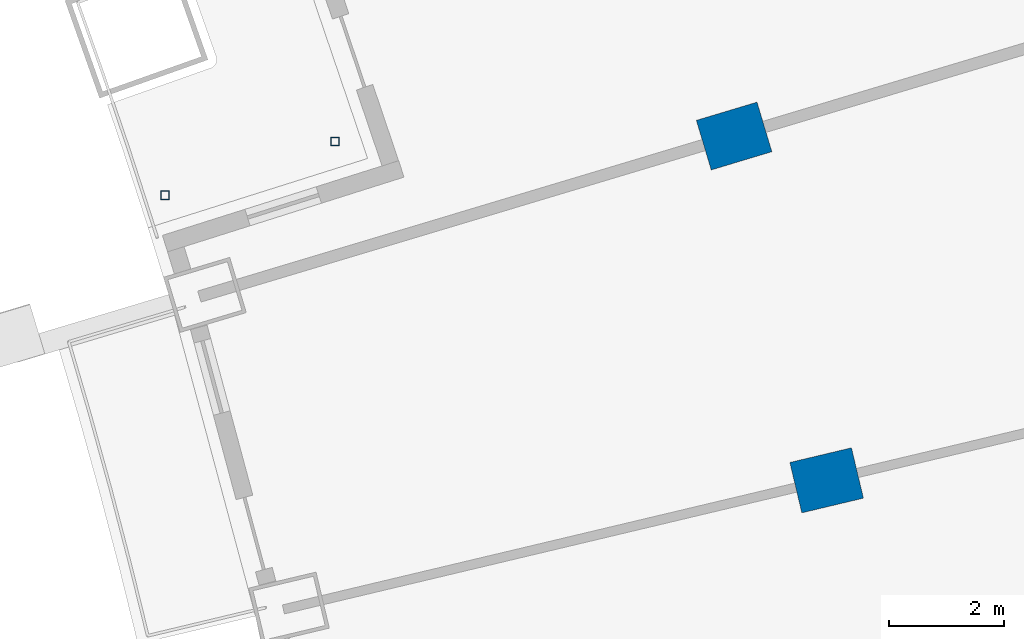
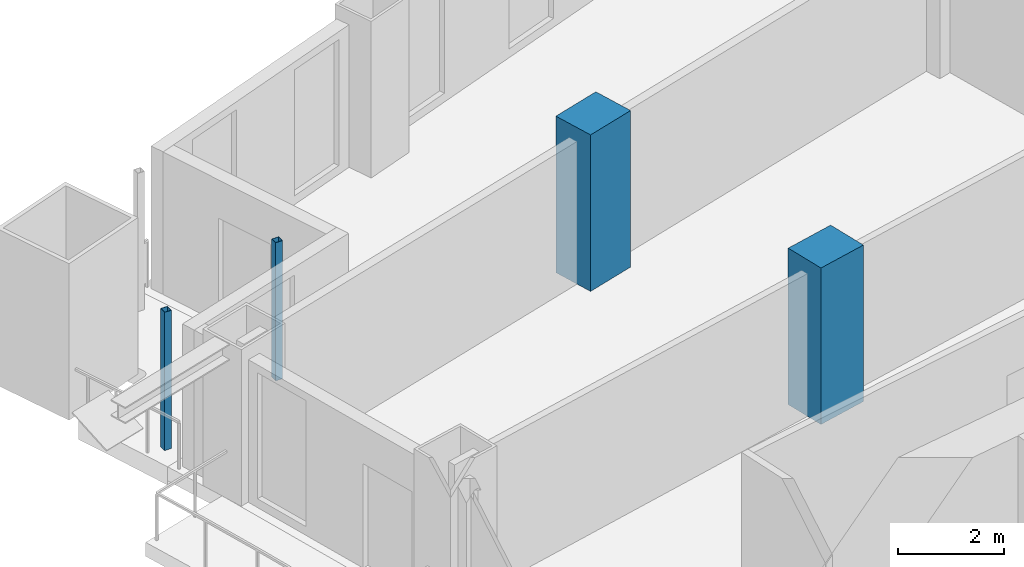
# One storey, part 7 of 24: 4 columns.
"""IFC4 building model written with IfcOpenShell, lengths in metres."""

import ifcopenshell
import ifcopenshell.guid

model = None  # the IFC model being written
_history = None  # IfcOwnerHistory: only IFC2X3 demands one
_inside = {}  # id of a spatial element -> (the spatial element, [elements in it])
_under = {}  # id of a project, library or spatial element -> (it, [spatial elements below it])
_declared = {}  # id of a project -> (the project, [libraries it declares])
_typed = {}  # id of a type object -> (the type object, [elements of that type])
_made_of = {}  # id of a material, layer set ... -> (it, [elements and type objects made of it])


def new_model(schema):
    """Start an empty IFC model of exactly this schema.

    Asked for "IFC4X3", IfcOpenShell would pick the latest addendum, in which some entities
    have other attributes; the version numbers below select the first issue.
    IFC2X3 requires an IfcOwnerHistory on every rooted entity: one is made here for all.
    """
    global model, _history
    if schema == "IFC4X3":
        model = ifcopenshell.file(schema_version=(4, 3, 0, 0))
    else:
        model = ifcopenshell.file(schema=schema)
    _inside.clear()
    _under.clear()
    _declared.clear()
    _typed.clear()
    _made_of.clear()
    _history = None
    if model.schema == "IFC2X3":
        org = make("IfcOrganization", Name="unknown")
        user = make(
            "IfcPersonAndOrganization",
            ThePerson=make("IfcPerson", FamilyName="unknown"),
            TheOrganization=org,
        )
        app = make(
            "IfcApplication",
            ApplicationDeveloper=org,
            Version="unknown",
            ApplicationFullName="unknown",
            ApplicationIdentifier="unknown",
        )
        _history = make(
            "IfcOwnerHistory",
            OwningUser=user,
            OwningApplication=app,
            ChangeAction="ADDED",
            CreationDate=0,
        )
    return model


def make(cls, **values):
    """One entity of the class cls with the attributes given. An attribute that is None is left unset."""
    return model.create_entity(
        cls, **{name: value for name, value in values.items() if value is not None}
    )


def rooted(cls, **values):
    """An entity with a GlobalId (a new one), such as an element, a storey or a relation."""
    return make(cls, GlobalId=ifcopenshell.guid.new(), OwnerHistory=_history, **values)


def si_unit(unit_type, name, prefix=None):
    """IfcSIUnit, for example si_unit("LENGTHUNIT", "METRE", prefix="MILLI")."""
    return make("IfcSIUnit", UnitType=unit_type, Prefix=prefix, Name=name)


def assignment(units):
    """IfcUnitAssignment: the units of a project."""
    return None if units is None else make("IfcUnitAssignment", Units=units)


def point(xyz):
    """IfcCartesianPoint."""
    return None if xyz is None else make("IfcCartesianPoint", Coordinates=xyz)


def direction(xyz):
    """IfcDirection."""
    return None if xyz is None else make("IfcDirection", DirectionRatios=xyz)


def frame(location, z_axis=None, x_axis=None):
    """IfcAxis2Placement3D, a coordinate frame: its origin and axes. An axis left out is left unset."""
    return make(
        "IfcAxis2Placement3D",
        Location=point(location),
        Axis=direction(z_axis),
        RefDirection=direction(x_axis),
    )


def frame_2d(location, x_axis=None):
    """IfcAxis2Placement2D, a coordinate frame in the plane: its origin and x axis."""
    return make(
        "IfcAxis2Placement2D", Location=point(location), RefDirection=direction(x_axis)
    )


def origin():
    """The frame at (0, 0, 0) with its axes left unset."""
    return frame((0.0, 0.0, 0.0))


def origin_2d():
    """The frame at (0, 0) in the plane with its x axis left unset."""
    return frame_2d((0.0, 0.0))


def place(relative_to, where):
    """IfcLocalPlacement: puts the frame where relative to a parent placement (None: the world)."""
    return make(
        "IfcLocalPlacement", PlacementRelTo=relative_to, RelativePlacement=where
    )


def context(
    kind, dimensions, precision=None, world=None, true_north=None, identifier=None
):
    """IfcGeometricRepresentationContext, for example the 3D "Model" context."""
    return make(
        "IfcGeometricRepresentationContext",
        ContextIdentifier=identifier,
        ContextType=kind,
        CoordinateSpaceDimension=dimensions,
        Precision=precision,
        WorldCoordinateSystem=world,
        TrueNorth=true_north,
    )


def subcontext(parent, identifier, kind, view, scale=None):
    """IfcGeometricRepresentationSubContext, for example "Body" below "Model"."""
    return make(
        "IfcGeometricRepresentationSubContext",
        ContextIdentifier=identifier,
        ContextType=kind,
        ParentContext=parent,
        TargetScale=scale,
        TargetView=view,
    )


def project(units=None, contexts=None):
    """IfcProject with its units and contexts."""
    return rooted(
        "IfcProject",
        Name="project",
        RepresentationContexts=contexts,
        UnitsInContext=assignment(units),
    )


def spatial(cls, under=None, at=None, **own):
    """A site, building, storey or space (cls), placed at a placement, below another one or the project."""
    s = rooted(cls, ObjectPlacement=at, **own)
    if under is not None:
        _under.setdefault(under.id(), (under, []))[1].append(s)
    return s


def profile(cls, at=None, kind="AREA", **sizes):
    """A parametric profile (cls). Its sizes go by their IFC names, for example OverallWidth=200.0."""
    return make(cls, ProfileType=kind, Position=at, **sizes)


def rectangle(**sizes):
    """IfcRectangleProfileDef."""
    return profile("IfcRectangleProfileDef", **sizes)


def hollow_rectangle(**sizes):
    """IfcRectangleHollowProfileDef."""
    return profile("IfcRectangleHollowProfileDef", **sizes)


def extrude(swept, where, along, depth):
    """IfcExtrudedAreaSolid: the profile swept, set in the frame where, extruded along a direction by depth."""
    return make(
        "IfcExtrudedAreaSolid",
        SweptArea=swept,
        Position=where,
        ExtrudedDirection=direction(along),
        Depth=depth,
    )


def shape(context_of_items, identifier, shape_type, items):
    """IfcShapeRepresentation: the items that make up one representation, for example the "Body"."""
    return make(
        "IfcShapeRepresentation",
        ContextOfItems=context_of_items,
        RepresentationIdentifier=identifier,
        RepresentationType=shape_type,
        Items=items,
    )


def material(Name=None, Category=None):
    """IfcMaterial."""
    return make("IfcMaterial", Name=Name, Category=Category)


def material_profile(
    of_material, cross_section, Name=None, Category=None, Priority=None
):
    """IfcMaterialProfile: a cross section and its material."""
    return make(
        "IfcMaterialProfile",
        Name=Name,
        Material=of_material,
        Profile=cross_section,
        Priority=Priority,
        Category=Category,
    )


def profile_set(profiles, Name=None, composite=None):
    """IfcMaterialProfileSet."""
    return make(
        "IfcMaterialProfileSet",
        Name=Name,
        MaterialProfiles=profiles,
        CompositeProfile=composite,
    )


def made_of(thing, what):
    """Note that an element or type object is made of a material, layer set ...; save() writes the relation."""
    if what is not None:
        _made_of.setdefault(what.id(), (what, []))[1].append(thing)
    return thing


def type_object(cls, material=None, **own):
    """A type object (cls), such as IfcWallType, which elements share."""
    return made_of(rooted(cls, **own), material)


def element(
    cls,
    number,
    at=None,
    inside=None,
    cuts=None,
    type_object=None,
    material=None,
    context=None,
    identifier="Body",
    shape_type=None,
    held_by="IfcProductDefinitionShape",
    body=None,
    shapes=None,
    **own,
):
    """One element of the class cls, such as IfcWall. Its Tag is "e" and its number.

    at: its placement. inside: the storey or other place that contains it. cuts: it is an
    opening in that element (IfcRelVoidsElement). A single representation is given by context,
    identifier, shape_type and body (its items); several are given by shapes. held_by: the class
    of the entity that holds the representations. save() writes the other relations.
    """
    e = rooted(cls, Tag="e%d" % number, ObjectPlacement=at, **own)
    if body is not None:
        shapes = [shape(context, identifier, shape_type, body)]
    if shapes is not None:
        e.Representation = make(held_by, Representations=shapes)
    if inside is not None:
        _inside.setdefault(inside.id(), (inside, []))[1].append(e)
    if cuts is not None:
        rooted(
            "IfcRelVoidsElement", RelatingBuildingElement=cuts, RelatedOpeningElement=e
        )
    if type_object is not None:
        _typed.setdefault(type_object.id(), (type_object, []))[1].append(e)
    return made_of(e, material)


def aggregate(whole, parts):
    """IfcRelAggregates: a whole, such as a stair, and the parts it consists of."""
    return rooted("IfcRelAggregates", RelatingObject=whole, RelatedObjects=parts)


def save(model, path):
    """Write the relations noted so far, then the file.

    IfcRelAggregates (storeys below a building ...), IfcRelContainedInSpatialStructure (elements
    in a storey), IfcRelDefinesByType, IfcRelAssociatesMaterial and IfcRelDeclares: one each for
    every whole, place, type object, material and project.
    """
    for whole, parts in _under.values():
        aggregate(whole, parts)
    for where, things in _inside.values():
        rooted(
            "IfcRelContainedInSpatialStructure",
            RelatedElements=things,
            RelatingStructure=where,
        )
    for kind, things in _typed.values():
        rooted("IfcRelDefinesByType", RelatedObjects=things, RelatingType=kind)
    for what, things in _made_of.values():
        rooted("IfcRelAssociatesMaterial", RelatedObjects=things, RelatingMaterial=what)
    for by, libraries in _declared.values():
        rooted("IfcRelDeclares", RelatingContext=by, RelatedDefinitions=libraries)
    model.write(path)


model = new_model("IFC4")

# Units and contexts
model_context = context("Model", 3, precision=1e-05, world=origin(), true_north=direction((0.0, 1.0)))
body_context = subcontext(model_context, "Body", "Model", "MODEL_VIEW")
ifc_project = project(units=[si_unit("LENGTHUNIT", "METRE"), si_unit("AREAUNIT", "SQUARE_METRE"), si_unit("VOLUMEUNIT", "CUBIC_METRE"), si_unit("PLANEANGLEUNIT", "RADIAN"), si_unit("MASSUNIT", "GRAM", prefix="KILO")], contexts=[model_context])

# Site, building, storey
site_placement = place(None, origin())
site = spatial("IfcSite", under=ifc_project, at=site_placement, CompositionType="ELEMENT")
building_placement = place(site_placement, origin())
building = spatial("IfcBuilding", under=site, at=building_placement, Name="Alderwake Tower", CompositionType="ELEMENT")
storey_placement = place(building_placement, frame((0.0, 0.0, 39.199951171875)))
storey = spatial("IfcBuildingStorey", under=building, at=storey_placement, Name="L08", CompositionType="ELEMENT", Elevation=39.199951171875)

# Columns
ifc_material_1 = material(Name="Concrete C70/85", Category="concrete")
ifc_material_profile_1 = material_profile(ifc_material_1, rectangle(XDim=0.89990234375, YDim=1.10009765625, at=origin_2d()), Name="RC 1100X900")
ifc_profile_set_1 = profile_set([ifc_material_profile_1], Name="Concrete C70/85")
column_type_1 = type_object("IfcColumnType", Name="Interior column Z1", PredefinedType="COLUMN", material=ifc_profile_set_1)
for number, where, z_axis, x_axis, name in (
    (1, (23.322021484375, 85.555908203125, 0.0), (0.0, 0.0, 1.0), (-0.231221547198, 0.972901123502, 0.0), "Column R11-C1"),
    (2, (21.714599609375, 91.53759765625, 0.0), (0.0, 0.0, 1.0), (-0.287549418125, 0.957765802342, 0.0), "Column R12-C1"),
):
    element("IfcColumn", number, at=place(storey_placement, frame(where, z_axis=z_axis, x_axis=x_axis)), inside=storey, type_object=column_type_1, Name=name, PredefinedType="COLUMN", context=body_context, shape_type="SweptSolid", body=[
        extrude(rectangle(XDim=0.89990234375, YDim=1.10009765625, at=origin_2d()), origin(), (0.0, 0.0, 1.0), 3.60009765625),
    ])
ifc_material_2 = material(Name="Steel ASTM A500 Grade C", Category="steel")
ifc_material_profile_2 = material_profile(ifc_material_2, hollow_rectangle(XDim=0.15234375, YDim=0.15234375, WallThickness=0.0087890625, at=origin_2d()), Name="HSS6X6X3/8")
ifc_profile_set_2 = profile_set([ifc_material_profile_2], Name="Steel ASTM A500 Grade C")
column_type_2 = type_object("IfcColumnType", Name="Light post HSS6X6X3/8", PredefinedType="COLUMN", material=ifc_profile_set_2)
for number, where, z_axis, x_axis, name in (
    (3, (11.82568359375, 90.507080078125, 0.0), (0.0, 0.0, 1.0), (1.0, 0.0, 0.0), "Terrace post RN1"),
    (4, (14.781494140625, 91.441650390625, 0.0), (0.0, 0.0, 1.0), (1.0, 0.0, 0.0), "Terrace post RN3"),
):
    element("IfcColumn", number, at=place(storey_placement, frame(where, z_axis=z_axis, x_axis=x_axis)), inside=storey, type_object=column_type_2, Name=name, PredefinedType="COLUMN", context=body_context, shape_type="SweptSolid", body=[
        extrude(hollow_rectangle(XDim=0.15234375, YDim=0.15234375, WallThickness=0.0087890625, at=origin_2d()), origin(), (0.0, 0.0, 1.0), 3.179931640625),
    ])

save(model, "model.ifc")
